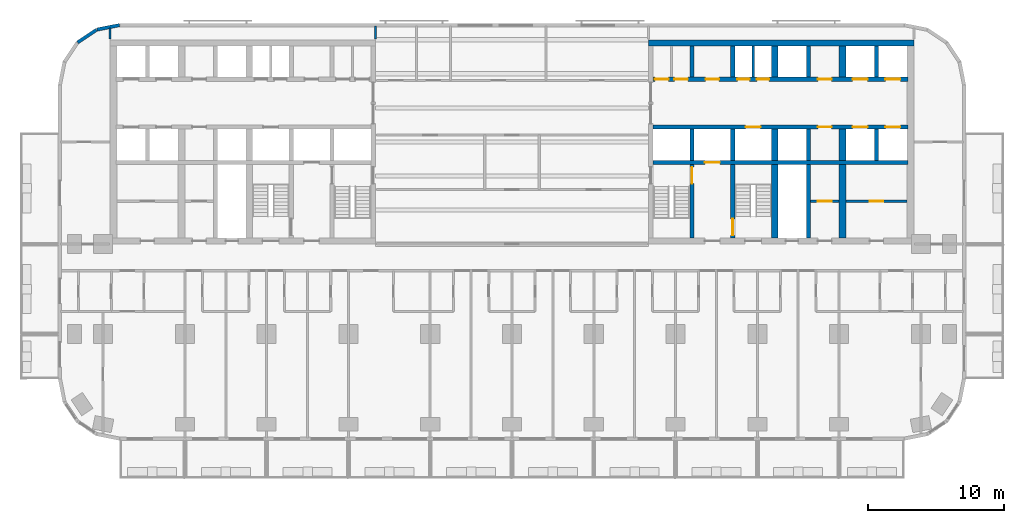
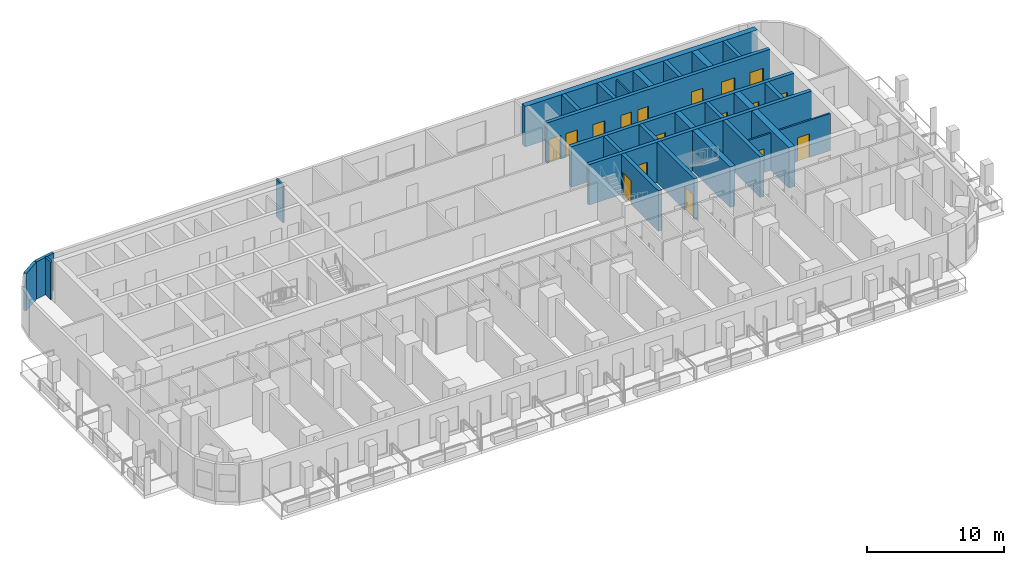
# One storey, part 8 of 15: 28 walls, 17 doors, 17 openings.
"""IFC4 building model written with IfcOpenShell, lengths in metres."""

from ifc_helpers import new_model, si_unit, direction, frame, frame_2d, origin, place, context, subcontext, project, spatial, rectangle, extrude, material, layer, layer_set, type_object, element, fill, save


model = new_model("IFC4")

# Units and contexts
model_context = context("Model", 3, precision=1e-05, world=origin(), true_north=direction((0.0, 1.0)))
body_context = subcontext(model_context, "Body", "Model", "MODEL_VIEW")
ifc_project = project(units=[si_unit("LENGTHUNIT", "METRE"), si_unit("AREAUNIT", "SQUARE_METRE"), si_unit("VOLUMEUNIT", "CUBIC_METRE"), si_unit("PLANEANGLEUNIT", "RADIAN"), si_unit("MASSUNIT", "GRAM", prefix="KILO")], contexts=[model_context])

# Site, building, storey
site_placement = place(None, origin())
site = spatial("IfcSite", under=ifc_project, at=site_placement, CompositionType="ELEMENT")
building_placement = place(site_placement, origin())
building = spatial("IfcBuilding", under=site, at=building_placement, Name="Torana Hotel and Residences", CompositionType="ELEMENT")
storey_placement = place(building_placement, frame((0.0, 0.0, 27.60009765625)))
storey = spatial("IfcBuildingStorey", under=building, at=storey_placement, Name="L05", CompositionType="ELEMENT", Elevation=27.60009765625)

# Wall, openings, doors
ifc_material_1 = material(Name="Concrete C80/95", Category="concrete")
ifc_layer_1 = layer(ifc_material_1, 0.300048828125)
ifc_layer_set_1 = layer_set([ifc_layer_1], Name="CORE WALL 300 C80/95")
wall_type_1 = type_object("IfcWallType", Name="CORE WALL 300 C80/95", PredefinedType="SHEAR", material=ifc_layer_set_1)
wall_1_placement = place(storey_placement, frame((10.35009765625, -2.89990234375, 0.0), z_axis=(0.0, 0.0, 1.0), x_axis=(1.0, 0.0, 0.0)))
wall_1 = element("IfcWall", 1, at=wall_1_placement, inside=storey, type_object=wall_type_1, Name="Core wall E row-N", PredefinedType="SHEAR", context=body_context, shape_type="SweptSolid", body=[
    extrude(rectangle(XDim=18.699951171875, YDim=0.300048828125, at=frame_2d((9.35009765625, 0.0))), origin(), (0.0, 0.0, 1.0), 3.599853515625),
])
opening_1_placement = place(wall_1_placement, frame((14.64990234375, 0.0, 0.0)))
opening_1 = element("IfcOpeningElement", 2, at=opening_1_placement, cuts=wall_1, Name="Opening LD", PredefinedType="OPENING", context=body_context, shape_type="SweptSolid", body=[
    extrude(rectangle(XDim=1.10009765625, YDim=2.10009765625, at=frame_2d((0.550048828125, 1.050048828125))), frame((0.0, 0.159912109375, 0.0), z_axis=(0.0, -1.0, 0.0), x_axis=(1.0, 0.0, 0.0)), (0.0, 0.0, 1.0), 0.320068359375),
])
opening_2_placement = place(wall_1_placement, frame((17.050048828125, 0.0, 0.0)))
opening_2 = element("IfcOpeningElement", 3, at=opening_2_placement, cuts=wall_1, Name="Opening LD", PredefinedType="OPENING", context=body_context, shape_type="SweptSolid", body=[
    extrude(rectangle(XDim=1.10009765625, YDim=2.10009765625, at=frame_2d((0.550048828125, 1.050048828125))), frame((0.0, 0.159912109375, 0.0), z_axis=(0.0, -1.0, 0.0), x_axis=(1.0, 0.0, 0.0)), (0.0, 0.0, 1.0), 0.320068359375),
])
opening_3_placement = place(wall_1_placement, frame((6.1875, 0.0, 0.0)))
opening_3 = element("IfcOpeningElement", 4, at=opening_3_placement, cuts=wall_1, Name="Opening L05-26", PredefinedType="OPENING", context=body_context, shape_type="SweptSolid", body=[
    extrude(rectangle(XDim=0.89990234375, YDim=2.10009765625, at=frame_2d((0.449951171875, 1.050048828125))), frame((0.0, 0.159912109375, 0.0), z_axis=(0.0, -1.0, 0.0), x_axis=(1.0, 0.0, 0.0)), (0.0, 0.0, 1.0), 0.320068359375),
])
opening_4_placement = place(wall_1_placement, frame((7.612548828125, 0.0, 0.0)))
opening_4 = element("IfcOpeningElement", 5, at=opening_4_placement, cuts=wall_1, Name="Opening L05-27", PredefinedType="OPENING", context=body_context, shape_type="SweptSolid", body=[
    extrude(rectangle(XDim=0.89990234375, YDim=2.10009765625, at=frame_2d((0.449951171875, 1.050048828125))), frame((0.0, 0.159912109375, 0.0), z_axis=(0.0, -1.0, 0.0), x_axis=(1.0, 0.0, 0.0)), (0.0, 0.0, 1.0), 0.320068359375),
])
opening_5_placement = place(wall_1_placement, frame((0.137451171875, 0.0, 0.0)))
opening_5 = element("IfcOpeningElement", 6, at=opening_5_placement, cuts=wall_1, Name="Opening L05-28", PredefinedType="OPENING", context=body_context, shape_type="SweptSolid", body=[
    extrude(rectangle(XDim=1.0, YDim=2.10009765625, at=frame_2d((0.5, 1.050048828125))), frame((0.0, 0.159912109375, 0.0), z_axis=(0.0, -1.0, 0.0), x_axis=(1.0, 0.0, 0.0)), (0.0, 0.0, 1.0), 0.320068359375),
])
opening_6_placement = place(wall_1_placement, frame((1.5625, 0.0, 0.0)))
opening_6 = element("IfcOpeningElement", 7, at=opening_6_placement, cuts=wall_1, Name="Opening L05-29", PredefinedType="OPENING", context=body_context, shape_type="SweptSolid", body=[
    extrude(rectangle(XDim=1.0, YDim=2.10009765625, at=frame_2d((0.5, 1.050048828125))), frame((0.0, 0.159912109375, 0.0), z_axis=(0.0, -1.0, 0.0), x_axis=(1.0, 0.0, 0.0)), (0.0, 0.0, 1.0), 0.320068359375),
])
opening_7_placement = place(wall_1_placement, frame((3.85009765625, 0.0, 0.0)))
opening_7 = element("IfcOpeningElement", 8, at=opening_7_placement, cuts=wall_1, Name="Opening L05-30", PredefinedType="OPENING", context=body_context, shape_type="SweptSolid", body=[
    extrude(rectangle(XDim=1.0, YDim=2.10009765625, at=frame_2d((0.5, 1.050048828125))), frame((0.0, 0.159912109375, 0.0), z_axis=(0.0, -1.0, 0.0), x_axis=(1.0, 0.0, 0.0)), (0.0, 0.0, 1.0), 0.320068359375),
])
opening_8_placement = place(wall_1_placement, frame((12.10009765625, 0.0, 0.0)))
opening_8 = element("IfcOpeningElement", 9, at=opening_8_placement, cuts=wall_1, Name="Opening L05-31", PredefinedType="OPENING", context=body_context, shape_type="SweptSolid", body=[
    extrude(rectangle(XDim=1.0, YDim=2.10009765625, at=frame_2d((0.5, 1.050048828125))), frame((0.0, 0.159912109375, 0.0), z_axis=(0.0, -1.0, 0.0), x_axis=(1.0, 0.0, 0.0)), (0.0, 0.0, 1.0), 0.320068359375),
])
ifc_material_2 = material(Name="Steel S235", Category="steel")
door_type_1 = type_object("IfcDoorType", Name="CORE ROOM FIRE DOOR D14 1000x2100", OperationType="SINGLE_SWING_LEFT", PredefinedType="DOOR", material=ifc_material_2)
door_1_placement = place(opening_5_placement, origin())
door_1 = element("IfcDoor", 10, at=door_1_placement, inside=storey, type_object=door_type_1, Name="N0A door L05", OperationType="SINGLE_SWING_RIGHT", OverallHeight=2.10009765625, OverallWidth=1.0, PredefinedType="DOOR", context=body_context, shape_type="SweptSolid", body=[
    extrude(rectangle(XDim=1.0, YDim=2.10009765625, at=frame_2d((0.5, 1.050048828125))), frame((0.0, 0.02490234375, 0.0), z_axis=(0.0, -1.0, 0.0), x_axis=(1.0, 0.0, 0.0)), (0.0, 0.0, 1.0), 0.050048828125),
])
fill(opening_5, door_1)
door_2_placement = place(opening_6_placement, origin())
door_2 = element("IfcDoor", 11, at=door_2_placement, inside=storey, type_object=door_type_1, Name="N0B door L05", OperationType="SINGLE_SWING_RIGHT", OverallHeight=2.10009765625, OverallWidth=1.0, PredefinedType="DOOR", context=body_context, shape_type="SweptSolid", body=[
    extrude(rectangle(XDim=1.0, YDim=2.10009765625, at=frame_2d((0.5, 1.050048828125))), frame((0.0, 0.02490234375, 0.0), z_axis=(0.0, -1.0, 0.0), x_axis=(1.0, 0.0, 0.0)), (0.0, 0.0, 1.0), 0.050048828125),
])
fill(opening_6, door_2)
door_3_placement = place(opening_7_placement, origin())
door_3 = element("IfcDoor", 12, at=door_3_placement, inside=storey, type_object=door_type_1, Name="N1 door L05", OperationType="SINGLE_SWING_RIGHT", OverallHeight=2.10009765625, OverallWidth=1.0, PredefinedType="DOOR", context=body_context, shape_type="SweptSolid", body=[
    extrude(rectangle(XDim=1.0, YDim=2.10009765625, at=frame_2d((0.5, 1.050048828125))), frame((0.0, 0.02490234375, 0.0), z_axis=(0.0, -1.0, 0.0), x_axis=(1.0, 0.0, 0.0)), (0.0, 0.0, 1.0), 0.050048828125),
])
fill(opening_7, door_3)
door_4_placement = place(opening_8_placement, origin())
door_4 = element("IfcDoor", 13, at=door_4_placement, inside=storey, type_object=door_type_1, Name="Free-M3 door L05", OperationType="SINGLE_SWING_RIGHT", OverallHeight=2.10009765625, OverallWidth=1.0, PredefinedType="DOOR", context=body_context, shape_type="SweptSolid", body=[
    extrude(rectangle(XDim=1.0, YDim=2.10009765625, at=frame_2d((0.5, 1.050048828125))), frame((0.0, 0.02490234375, 0.0), z_axis=(0.0, -1.0, 0.0), x_axis=(1.0, 0.0, 0.0)), (0.0, 0.0, 1.0), 0.050048828125),
])
fill(opening_8, door_4)
ifc_material_3 = material(Name="Stainless steel 316", Category="steel")
door_type_2 = type_object("IfcDoorType", Name="LIFT LANDING DOOR LD 1100x2100", OperationType="DOUBLE_DOOR_SLIDING", PredefinedType="USERDEFINED", material=ifc_material_3)
door_5_placement = place(opening_1_placement, origin())
door_5 = element("IfcDoor", 14, at=door_5_placement, inside=storey, type_object=door_type_2, Name="Lift landing door L5 L05", ObjectType="LIFT LANDING DOOR", OperationType="DOUBLE_DOOR_SLIDING", OverallHeight=2.10009765625, OverallWidth=1.10009765625, PredefinedType="USERDEFINED", context=body_context, shape_type="SweptSolid", body=[
    extrude(rectangle(XDim=1.10009765625, YDim=2.10009765625, at=frame_2d((0.550048828125, 1.050048828125))), frame((0.0, 0.02490234375, 0.0), z_axis=(0.0, -1.0, 0.0), x_axis=(1.0, 0.0, 0.0)), (0.0, 0.0, 1.0), 0.050048828125),
])
fill(opening_1, door_5)
door_6_placement = place(opening_2_placement, origin())
door_6 = element("IfcDoor", 15, at=door_6_placement, inside=storey, type_object=door_type_2, Name="Lift landing door L6 L05", ObjectType="LIFT LANDING DOOR", OperationType="DOUBLE_DOOR_SLIDING", OverallHeight=2.10009765625, OverallWidth=1.10009765625, PredefinedType="USERDEFINED", context=body_context, shape_type="SweptSolid", body=[
    extrude(rectangle(XDim=1.10009765625, YDim=2.10009765625, at=frame_2d((0.550048828125, 1.050048828125))), frame((0.0, 0.02490234375, 0.0), z_axis=(0.0, -1.0, 0.0), x_axis=(1.0, 0.0, 0.0)), (0.0, 0.0, 1.0), 0.050048828125),
])
fill(opening_2, door_6)
ifc_material_4 = material(Name="Steel S235", Category="steel")
door_type_3 = type_object("IfcDoorType", Name="RISER ACCESS DOOR D5 900x2100", OperationType="SINGLE_SWING_LEFT", PredefinedType="DOOR", material=ifc_material_4)
door_7_placement = place(opening_3_placement, origin())
door_7 = element("IfcDoor", 16, at=door_7_placement, inside=storey, type_object=door_type_3, Name="N2A door L05", OperationType="SINGLE_SWING_RIGHT", OverallHeight=2.10009765625, OverallWidth=0.89990234375, PredefinedType="DOOR", context=body_context, shape_type="SweptSolid", body=[
    extrude(rectangle(XDim=0.89990234375, YDim=2.10009765625, at=frame_2d((0.449951171875, 1.050048828125))), frame((0.0, 0.02490234375, 0.0), z_axis=(0.0, -1.0, 0.0), x_axis=(1.0, 0.0, 0.0)), (0.0, 0.0, 1.0), 0.050048828125),
])
fill(opening_3, door_7)
door_8_placement = place(opening_4_placement, origin())
door_8 = element("IfcDoor", 17, at=door_8_placement, inside=storey, type_object=door_type_3, Name="N2B door L05", OperationType="SINGLE_SWING_RIGHT", OverallHeight=2.10009765625, OverallWidth=0.89990234375, PredefinedType="DOOR", context=body_context, shape_type="SweptSolid", body=[
    extrude(rectangle(XDim=0.89990234375, YDim=2.10009765625, at=frame_2d((0.449951171875, 1.050048828125))), frame((0.0, 0.02490234375, 0.0), z_axis=(0.0, -1.0, 0.0), x_axis=(1.0, 0.0, 0.0)), (0.0, 0.0, 1.0), 0.050048828125),
])
fill(opening_4, door_8)

wall_2_placement = place(storey_placement, frame((10.35009765625, -6.39990234375, 0.0), z_axis=(0.0, 0.0, 1.0), x_axis=(1.0, 0.0, 0.0)))
wall_2 = element("IfcWall", 18, at=wall_2_placement, inside=storey, type_object=wall_type_1, Name="Core wall E row-S", PredefinedType="SHEAR", context=body_context, shape_type="SweptSolid", body=[
    extrude(rectangle(XDim=18.699951171875, YDim=0.300048828125, at=frame_2d((9.35009765625, 0.0))), origin(), (0.0, 0.0, 1.0), 3.599853515625),
])
opening_9_placement = place(wall_2_placement, frame((14.64990234375, 0.0, 0.0)))
opening_9 = element("IfcOpeningElement", 19, at=opening_9_placement, cuts=wall_2, Name="Opening LD", PredefinedType="OPENING", context=body_context, shape_type="SweptSolid", body=[
    extrude(rectangle(XDim=1.10009765625, YDim=2.10009765625, at=frame_2d((0.550048828125, 1.050048828125))), frame((0.0, 0.159912109375, 0.0), z_axis=(0.0, -1.0, 0.0), x_axis=(1.0, 0.0, 0.0)), (0.0, 0.0, 1.0), 0.320068359375),
])
opening_10_placement = place(wall_2_placement, frame((17.050048828125, 0.0, 0.0)))
opening_10 = element("IfcOpeningElement", 20, at=opening_10_placement, cuts=wall_2, Name="Opening LD", PredefinedType="OPENING", context=body_context, shape_type="SweptSolid", body=[
    extrude(rectangle(XDim=1.10009765625, YDim=2.10009765625, at=frame_2d((0.550048828125, 1.050048828125))), frame((0.0, 0.159912109375, 0.0), z_axis=(0.0, -1.0, 0.0), x_axis=(1.0, 0.0, 0.0)), (0.0, 0.0, 1.0), 0.320068359375),
])
opening_11_placement = place(wall_2_placement, frame((6.800048828125, 0.0, 0.0)))
opening_11 = element("IfcOpeningElement", 21, at=opening_11_placement, cuts=wall_2, Name="Opening LD", PredefinedType="OPENING", context=body_context, shape_type="SweptSolid", body=[
    extrude(rectangle(XDim=1.10009765625, YDim=2.10009765625, at=frame_2d((0.550048828125, 1.050048828125))), frame((0.0, 0.159912109375, 0.0), z_axis=(0.0, -1.0, 0.0), x_axis=(1.0, 0.0, 0.0)), (0.0, 0.0, 1.0), 0.320068359375),
])
opening_12_placement = place(wall_2_placement, frame((12.10009765625, 0.0, 0.0)))
opening_12 = element("IfcOpeningElement", 22, at=opening_12_placement, cuts=wall_2, Name="Opening L05-32", PredefinedType="OPENING", context=body_context, shape_type="SweptSolid", body=[
    extrude(rectangle(XDim=1.0, YDim=2.10009765625, at=frame_2d((0.5, 1.050048828125))), frame((0.0, 0.159912109375, 0.0), z_axis=(0.0, -1.0, 0.0), x_axis=(1.0, 0.0, 0.0)), (0.0, 0.0, 1.0), 0.320068359375),
])
door_9_placement = place(opening_12_placement, frame((0.5, 0.0, 0.0), z_axis=(0.0, 0.0, 1.0), x_axis=(-1.0, 0.0, 0.0)))
door_9 = element("IfcDoor", 23, at=door_9_placement, inside=storey, type_object=door_type_1, Name="Free-M4 door L05", OperationType="SINGLE_SWING_LEFT", OverallHeight=2.10009765625, OverallWidth=1.0, PredefinedType="DOOR", context=body_context, shape_type="SweptSolid", body=[
    extrude(rectangle(XDim=1.0, YDim=2.10009765625, at=frame_2d((0.0, 1.050048828125))), frame((0.0, -0.02490234375, 0.0), z_axis=(0.0, 1.0, 0.0), x_axis=(-1.0, 0.0, 0.0)), (0.0, 0.0, 1.0), 0.050048828125),
])
fill(opening_12, door_9)
door_10_placement = place(opening_9_placement, origin())
door_10 = element("IfcDoor", 24, at=door_10_placement, inside=storey, type_object=door_type_2, Name="Lift landing door L7 L05", ObjectType="LIFT LANDING DOOR", OperationType="DOUBLE_DOOR_SLIDING", OverallHeight=2.10009765625, OverallWidth=1.10009765625, PredefinedType="USERDEFINED", context=body_context, shape_type="SweptSolid", body=[
    extrude(rectangle(XDim=1.10009765625, YDim=2.10009765625, at=frame_2d((0.550048828125, 1.050048828125))), frame((0.0, 0.02490234375, 0.0), z_axis=(0.0, -1.0, 0.0), x_axis=(1.0, 0.0, 0.0)), (0.0, 0.0, 1.0), 0.050048828125),
])
fill(opening_9, door_10)
door_11_placement = place(opening_10_placement, origin())
door_11 = element("IfcDoor", 25, at=door_11_placement, inside=storey, type_object=door_type_2, Name="Lift landing door L8 L05", ObjectType="LIFT LANDING DOOR", OperationType="DOUBLE_DOOR_SLIDING", OverallHeight=2.10009765625, OverallWidth=1.10009765625, PredefinedType="USERDEFINED", context=body_context, shape_type="SweptSolid", body=[
    extrude(rectangle(XDim=1.10009765625, YDim=2.10009765625, at=frame_2d((0.550048828125, 1.050048828125))), frame((0.0, 0.02490234375, 0.0), z_axis=(0.0, -1.0, 0.0), x_axis=(1.0, 0.0, 0.0)), (0.0, 0.0, 1.0), 0.050048828125),
])
fill(opening_10, door_11)
door_12_placement = place(opening_11_placement, origin())
door_12 = element("IfcDoor", 26, at=door_12_placement, inside=storey, type_object=door_type_2, Name="Lift landing door SV2 L05", ObjectType="LIFT LANDING DOOR", OperationType="DOUBLE_DOOR_SLIDING", OverallHeight=2.10009765625, OverallWidth=1.10009765625, PredefinedType="USERDEFINED", context=body_context, shape_type="SweptSolid", body=[
    extrude(rectangle(XDim=1.10009765625, YDim=2.10009765625, at=frame_2d((0.550048828125, 1.050048828125))), frame((0.0, 0.02490234375, 0.0), z_axis=(0.0, -1.0, 0.0), x_axis=(1.0, 0.0, 0.0)), (0.0, 0.0, 1.0), 0.050048828125),
])
fill(opening_11, door_12)

# Wall, opening, door
wall_3_placement = place(storey_placement, frame((10.35009765625, -9.0, 0.0), z_axis=(0.0, 0.0, 1.0), x_axis=(1.0, 0.0, 0.0)))
wall_3 = element("IfcWall", 27, at=wall_3_placement, inside=storey, type_object=wall_type_1, Name="Core wall E band", PredefinedType="SHEAR", context=body_context, shape_type="SweptSolid", body=[
    extrude(rectangle(XDim=18.699951171875, YDim=0.300048828125, at=frame_2d((9.35009765625, 0.0))), origin(), (0.0, 0.0, 1.0), 3.599853515625),
])
opening_13_placement = place(wall_3_placement, frame((3.800048828125, 0.0, 0.0)))
opening_13 = element("IfcOpeningElement", 28, at=opening_13_placement, cuts=wall_3, Name="Opening LD", PredefinedType="OPENING", context=body_context, shape_type="SweptSolid", body=[
    extrude(rectangle(XDim=1.10009765625, YDim=2.10009765625, at=frame_2d((0.550048828125, 1.050048828125))), frame((0.0, 0.159912109375, 0.0), z_axis=(0.0, -1.0, 0.0), x_axis=(1.0, 0.0, 0.0)), (0.0, 0.0, 1.0), 0.320068359375),
])
door_13_placement = place(opening_13_placement, origin())
door_13 = element("IfcDoor", 29, at=door_13_placement, inside=storey, type_object=door_type_2, Name="Lift landing door FF2 L05", ObjectType="LIFT LANDING DOOR", OperationType="DOUBLE_DOOR_SLIDING", OverallHeight=2.10009765625, OverallWidth=1.10009765625, PredefinedType="USERDEFINED", context=body_context, shape_type="SweptSolid", body=[
    extrude(rectangle(XDim=1.10009765625, YDim=2.10009765625, at=frame_2d((0.550048828125, 1.050048828125))), frame((0.0, 0.02490234375, 0.0), z_axis=(0.0, -1.0, 0.0), x_axis=(1.0, 0.0, 0.0)), (0.0, 0.0, 1.0), 0.050048828125),
])
fill(opening_13, door_13)

# Walls
for number, where, z_axis, x_axis, name in (
    (30, (13.199951171875, -2.75, 0.0), (0.0, 0.0, 1.0), (0.0, 1.0, 0.0), "Core wall E x3.05-N"),
    (31, (13.199951171875, -8.85009765625, 0.0), (0.0, 0.0, 1.0), (0.0, 1.0, 0.0), "Core wall E x3.05-S"),
):
    element("IfcWall", number, at=place(storey_placement, frame(where, z_axis=z_axis, x_axis=x_axis)), inside=storey, type_object=wall_type_1, Name=name, PredefinedType="SHEAR", context=body_context, shape_type="SweptSolid", body=[
        extrude(rectangle(XDim=2.300048828125, YDim=0.300048828125, at=frame_2d((1.14990234375, 0.0))), origin(), (0.0, 0.0, 1.0), 3.599853515625),
    ])

# Wall, opening, door
wall_4_placement = place(storey_placement, frame((13.199951171875, -14.550048828125, 0.0), z_axis=(0.0, 0.0, 1.0), x_axis=(0.0, 1.0, 0.0)))
wall_4 = element("IfcWall", 32, at=wall_4_placement, inside=storey, type_object=wall_type_1, Name="Core wall E x3.05-band", PredefinedType="SHEAR", context=body_context, shape_type="SweptSolid", body=[
    extrude(rectangle(XDim=5.400146484375, YDim=0.300048828125, at=frame_2d((2.7001953125, 0.0))), origin(), (0.0, 0.0, 1.0), 3.599853515625),
])
opening_14_placement = place(wall_4_placement, frame((4.0, 0.0, 0.0)))
opening_14 = element("IfcOpeningElement", 33, at=opening_14_placement, cuts=wall_4, Name="Opening L05-33", PredefinedType="OPENING", context=body_context, shape_type="SweptSolid", body=[
    extrude(rectangle(XDim=1.199951171875, YDim=2.10009765625, at=frame_2d((0.60009765625, 1.050048828125))), frame((0.0, 0.159912109375, 0.0), z_axis=(0.0, -1.0, 0.0), x_axis=(1.0, 0.0, 0.0)), (0.0, 0.0, 1.0), 0.320068359375),
])
ifc_material_5 = material(Name="Steel S235", Category="steel")
door_type_4 = type_object("IfcDoorType", Name="STAIR FIRE DOOR D3 1200x2100", OperationType="SINGLE_SWING_LEFT", PredefinedType="DOOR", material=ifc_material_5)
door_14_placement = place(opening_14_placement, origin())
door_14 = element("IfcDoor", 34, at=door_14_placement, inside=storey, type_object=door_type_4, Name="Stair-A-lobby door L05", OperationType="SINGLE_SWING_LEFT", OverallHeight=2.10009765625, OverallWidth=1.199951171875, PredefinedType="DOOR", context=body_context, shape_type="SweptSolid", body=[
    extrude(rectangle(XDim=1.199951171875, YDim=2.10009765625, at=frame_2d((0.60009765625, 1.050048828125))), frame((0.0, 0.02490234375, 0.0), z_axis=(0.0, -1.0, 0.0), x_axis=(1.0, 0.0, 0.0)), (0.0, 0.0, 1.0), 0.050048828125),
])
fill(opening_14, door_14)

# Walls
for number, where, z_axis, x_axis, name in (
    (35, (16.199951171875, -2.75, 0.0), (0.0, 0.0, 1.0), (0.0, 1.0, 0.0), "Core wall E x6.05-N"),
    (36, (16.199951171875, -8.85009765625, 0.0), (0.0, 0.0, 1.0), (0.0, 1.0, 0.0), "Core wall E x6.05-S"),
):
    element("IfcWall", number, at=place(storey_placement, frame(where, z_axis=z_axis, x_axis=x_axis)), inside=storey, type_object=wall_type_1, Name=name, PredefinedType="SHEAR", context=body_context, shape_type="SweptSolid", body=[
        extrude(rectangle(XDim=2.300048828125, YDim=0.300048828125, at=frame_2d((1.14990234375, 0.0))), origin(), (0.0, 0.0, 1.0), 3.599853515625),
    ])

# Wall, opening, door
wall_5_placement = place(storey_placement, frame((16.199951171875, -14.550048828125, 0.0), z_axis=(0.0, 0.0, 1.0), x_axis=(0.0, 1.0, 0.0)))
wall_5 = element("IfcWall", 37, at=wall_5_placement, inside=storey, type_object=wall_type_1, Name="Core wall E x6.05-band", PredefinedType="SHEAR", context=body_context, shape_type="SweptSolid", body=[
    extrude(rectangle(XDim=5.400146484375, YDim=0.300048828125, at=frame_2d((2.7001953125, 0.0))), origin(), (0.0, 0.0, 1.0), 3.599853515625),
])
opening_15_placement = place(wall_5_placement, frame((0.199951171875, 0.0, 0.0)))
opening_15 = element("IfcOpeningElement", 38, at=opening_15_placement, cuts=wall_5, Name="Opening L05-34", PredefinedType="OPENING", context=body_context, shape_type="SweptSolid", body=[
    extrude(rectangle(XDim=1.199951171875, YDim=2.10009765625, at=frame_2d((0.60009765625, 1.050048828125))), frame((0.0, 0.159912109375, 0.0), z_axis=(0.0, -1.0, 0.0), x_axis=(1.0, 0.0, 0.0)), (0.0, 0.0, 1.0), 0.320068359375),
])
door_15_placement = place(opening_15_placement, frame((0.60009765625, 0.0, 0.0), z_axis=(0.0, 0.0, 1.0), x_axis=(-1.0, 0.0, 0.0)))
door_15 = element("IfcDoor", 39, at=door_15_placement, inside=storey, type_object=door_type_4, Name="Stair-B-lobby door L05", OperationType="SINGLE_SWING_LEFT", OverallHeight=2.10009765625, OverallWidth=1.199951171875, PredefinedType="DOOR", context=body_context, shape_type="SweptSolid", body=[
    extrude(rectangle(XDim=1.199951171875, YDim=2.10009765625, at=frame_2d((0.0, 1.050048828125))), frame((0.0, -0.02490234375, 0.0), z_axis=(0.0, 1.0, 0.0), x_axis=(-1.0, 0.0, 0.0)), (0.0, 0.0, 1.0), 0.050048828125),
])
fill(opening_15, door_15)

# Walls
for number, where, z_axis, x_axis, name in (
    (40, (21.75, -2.75, 0.0), (0.0, 0.0, 1.0), (0.0, 1.0, 0.0), "Core wall E mm-N"),
    (41, (21.75, -8.85009765625, 0.0), (0.0, 0.0, 1.0), (0.0, 1.0, 0.0), "Core wall E mm-S"),
):
    element("IfcWall", number, at=place(storey_placement, frame(where, z_axis=z_axis, x_axis=x_axis)), inside=storey, type_object=wall_type_1, Name=name, PredefinedType="SHEAR", context=body_context, shape_type="SweptSolid", body=[
        extrude(rectangle(XDim=2.300048828125, YDim=0.300048828125, at=frame_2d((1.14990234375, 0.0))), origin(), (0.0, 0.0, 1.0), 3.599853515625),
    ])
wall_6_placement = place(storey_placement, frame((21.75, -14.550048828125, 0.0), z_axis=(0.0, 0.0, 1.0), x_axis=(0.0, 1.0, 0.0)))
element("IfcWall", 42, at=wall_6_placement, inside=storey, type_object=wall_type_1, Name="Core wall E mm-band", PredefinedType="SHEAR", context=body_context, shape_type="SweptSolid", body=[
    extrude(rectangle(XDim=5.400146484375, YDim=0.300048828125, at=frame_2d((2.7001953125, 0.0))), origin(), (0.0, 0.0, 1.0), 3.599853515625),
])
for number, where, z_axis, x_axis, name in (
    (43, (26.75, -2.75, 0.0), (0.0, 0.0, 1.0), (0.0, 1.0, 0.0), "Core wall E ll-N"),
    (44, (26.75, -8.85009765625, 0.0), (0.0, 0.0, 1.0), (0.0, 1.0, 0.0), "Core wall E ll-S"),
):
    element("IfcWall", number, at=place(storey_placement, frame(where, z_axis=z_axis, x_axis=x_axis)), inside=storey, type_object=wall_type_1, Name=name, PredefinedType="SHEAR", context=body_context, shape_type="SweptSolid", body=[
        extrude(rectangle(XDim=2.300048828125, YDim=0.300048828125, at=frame_2d((1.14990234375, 0.0))), origin(), (0.0, 0.0, 1.0), 3.599853515625),
    ])
ifc_material_6 = material(Name="Concrete C80/95", Category="concrete")
ifc_layer_2 = layer(ifc_material_6, 0.449951171875)
ifc_layer_set_2 = layer_set([ifc_layer_2], Name="CORE WALL 450 C80/95")
wall_type_2 = type_object("IfcWallType", Name="CORE WALL 450 C80/95", PredefinedType="SHEAR", material=ifc_layer_set_2)
wall_7_placement = place(storey_placement, frame((10.0, -0.22509765625, 0.0), z_axis=(0.0, 0.0, 1.0), x_axis=(1.0, 0.0, 0.0)))
element("IfcWall", 45, at=wall_7_placement, inside=storey, type_object=wall_type_2, Name="Core wall E rear", PredefinedType="SHEAR", context=body_context, shape_type="SweptSolid", body=[
    extrude(rectangle(XDim=19.5, YDim=0.449951171875, at=frame_2d((9.75, 0.0))), origin(), (0.0, 0.0, 1.0), 3.599853515625),
])
for number, where, z_axis, x_axis, name in (
    (46, (19.27490234375, -2.75, 0.0), (0.0, 0.0, 1.0), (0.0, 1.0, 0.0), "Core wall E hm-N"),
    (47, (19.27490234375, -8.85009765625, 0.0), (0.0, 0.0, 1.0), (0.0, 1.0, 0.0), "Core wall E hm-S"),
):
    element("IfcWall", number, at=place(storey_placement, frame(where, z_axis=z_axis, x_axis=x_axis)), inside=storey, type_object=wall_type_2, Name=name, PredefinedType="SHEAR", context=body_context, shape_type="SweptSolid", body=[
        extrude(rectangle(XDim=2.300048828125, YDim=0.449951171875, at=frame_2d((1.14990234375, 0.0))), origin(), (0.0, 0.0, 1.0), 3.599853515625),
    ])
wall_8_placement = place(storey_placement, frame((19.27490234375, -14.550048828125, 0.0), z_axis=(0.0, 0.0, 1.0), x_axis=(0.0, 1.0, 0.0)))
element("IfcWall", 48, at=wall_8_placement, inside=storey, type_object=wall_type_2, Name="Core wall E hm-band", PredefinedType="SHEAR", context=body_context, shape_type="SweptSolid", body=[
    extrude(rectangle(XDim=5.400146484375, YDim=0.449951171875, at=frame_2d((2.7001953125, 0.0))), origin(), (0.0, 0.0, 1.0), 3.599853515625),
])
ifc_material_7 = material(Name="Concrete C80/95", Category="concrete")
ifc_layer_3 = layer(ifc_material_7, 0.5)
ifc_layer_set_3 = layer_set([ifc_layer_3], Name="CORE WALL 500 C80/95")
wall_type_3 = type_object("IfcWallType", Name="CORE WALL 500 C80/95", PredefinedType="SHEAR", material=ifc_layer_set_3)
for number, where, z_axis, x_axis, name in (
    (49, (24.25, -2.75, 0.0), (0.0, 0.0, 1.0), (0.0, 1.0, 0.0), "Core wall E ml-N"),
    (50, (24.25, -8.85009765625, 0.0), (0.0, 0.0, 1.0), (0.0, 1.0, 0.0), "Core wall E ml-S"),
):
    element("IfcWall", number, at=place(storey_placement, frame(where, z_axis=z_axis, x_axis=x_axis)), inside=storey, type_object=wall_type_3, Name=name, PredefinedType="SHEAR", context=body_context, shape_type="SweptSolid", body=[
        extrude(rectangle(XDim=2.300048828125, YDim=0.5, at=frame_2d((1.14990234375, 0.0))), origin(), (0.0, 0.0, 1.0), 3.599853515625),
    ])
wall_9_placement = place(storey_placement, frame((24.25, -14.550048828125, 0.0), z_axis=(0.0, 0.0, 1.0), x_axis=(0.0, 1.0, 0.0)))
element("IfcWall", 51, at=wall_9_placement, inside=storey, type_object=wall_type_3, Name="Core wall E ml-band", PredefinedType="SHEAR", context=body_context, shape_type="SweptSolid", body=[
    extrude(rectangle(XDim=5.400146484375, YDim=0.5, at=frame_2d((2.7001953125, 0.0))), origin(), (0.0, 0.0, 1.0), 3.599853515625),
])
ifc_material_8 = material(Name="Black aluminium composite panel", Category="aluminium")
ifc_layer_4 = layer(ifc_material_8, 0.00390625, Name="Cladding", Category="cladding")
ifc_material_9 = material(Name="Ventilated air cavity")
ifc_layer_5 = layer(ifc_material_9, 0.0400390625, Name="Ventilated cavity", Category="cavity")
ifc_material_10 = material(Name="Mineral wool insulation")
ifc_layer_6 = layer(ifc_material_10, 0.090087890625, Name="Insulation", Category="insulation")
ifc_material_11 = material(Name="Steel S280GD", Category="steel")
ifc_layer_7 = layer(ifc_material_11, 0.092041015625, Name="Steel stud frame", Category="structure")
ifc_material_12 = material(Name="Fire rated plasterboard")
ifc_layer_8 = layer(ifc_material_12, 0.011962890625, Name="Inner board", Category="finish")
ifc_layer_9 = layer(ifc_material_12, 0.011962890625, Name="Second board", Category="finish")
ifc_layer_set_4 = layer_set([ifc_layer_4, ifc_layer_5, ifc_layer_6, ifc_layer_7, ifc_layer_8, ifc_layer_9], Name="EW1 EXTERNAL WALL BLACK METAL CLAD 250")
wall_type_4 = type_object("IfcWallType", Name="EW1 EXTERNAL WALL BLACK METAL CLAD 250", PredefinedType="SOLIDWALL", material=ifc_layer_set_4)
wall_10_placement = place(storey_placement, frame((-28.7998046875, 1.072509765625, 0.0), z_axis=(0.0, 0.0, 1.0), x_axis=(-0.980803419081, -0.194999110559, 0.0)))
element("IfcWall", 52, at=wall_10_placement, inside=storey, type_object=wall_type_4, Name="External wall L05 e0.5", PredefinedType="SOLIDWALL", context=body_context, shape_type="SweptSolid", body=[
    extrude(rectangle(XDim=1.681396484375, YDim=0.25, at=frame_2d((0.8408203125, 0.0))), origin(), (0.0, 0.0, 1.0), 3.31982421875),
])
wall_11_placement = place(storey_placement, frame((-30.493896484375, 0.725830078125, 0.0), z_axis=(0.0, 0.0, 1.0), x_axis=(-0.831482937015, -0.55555029066, 0.0)))
element("IfcWall", 53, at=wall_11_placement, inside=storey, type_object=wall_type_4, Name="External wall L05 e0.6", PredefinedType="SOLIDWALL", context=body_context, shape_type="SweptSolid", body=[
    extrude(rectangle(XDim=1.65625, YDim=0.25, at=frame_2d((0.828125, 0.0))), origin(), (0.0, 0.0, 1.0), 3.31982421875),
])
ifc_material_13 = material(Name="Gypsum plaster")
ifc_layer_10 = layer(ifc_material_13, 0.014892578125, Name="Plaster", Category="finish")
ifc_material_14 = material(Name="Concrete blockwork", Category="masonry")
ifc_layer_11 = layer(ifc_material_14, 0.1201171875, Name="Blockwork", Category="structure")
ifc_layer_12 = layer(ifc_material_13, 0.014892578125, Name="Plaster", Category="finish")
ifc_layer_set_5 = layer_set([ifc_layer_10, ifc_layer_11, ifc_layer_12], Name="FIRE PARTITION 150 BLOCKWORK")
wall_type_5 = type_object("IfcWallType", Name="FIRE PARTITION 150 BLOCKWORK", PredefinedType="PARTITIONING", material=ifc_layer_set_5)
wall_12_placement = place(storey_placement, frame((17.699951171875, -2.75, 0.0), z_axis=(0.0, 0.0, 1.0), x_axis=(0.0, 1.0, 0.0)))
element("IfcWall", 54, at=wall_12_placement, inside=storey, type_object=wall_type_5, Name="Core partition L05", PredefinedType="PARTITIONING", context=body_context, shape_type="SweptSolid", body=[
    extrude(rectangle(XDim=2.300048828125, YDim=0.14990234375, at=frame_2d((1.14990234375, 0.0))), origin(), (0.0, 0.0, 1.0), 3.2998046875),
])

# Wall, opening, door
wall_13_placement = place(storey_placement, frame((21.89990234375, -11.85009765625, 0.0), z_axis=(0.0, 0.0, 1.0), x_axis=(1.0, 0.0, 0.0)))
wall_13 = element("IfcWall", 55, at=wall_13_placement, inside=storey, type_object=wall_type_5, Name="Core partition L05", PredefinedType="PARTITIONING", context=body_context, shape_type="SweptSolid", body=[
    extrude(rectangle(XDim=2.10009765625, YDim=0.14990234375, at=frame_2d((1.050048828125, 0.0))), origin(), (0.0, 0.0, 1.0), 3.2998046875),
])
opening_16_placement = place(wall_13_placement, frame((0.550048828125, 0.0, 0.0)))
opening_16 = element("IfcOpeningElement", 56, at=opening_16_placement, cuts=wall_13, Name="Opening L05-37", PredefinedType="OPENING", context=body_context, shape_type="SweptSolid", body=[
    extrude(rectangle(XDim=1.0, YDim=2.10009765625, at=frame_2d((0.5, 1.050048828125))), frame((0.0, 0.0849609375, 0.0), z_axis=(0.0, -1.0, 0.0), x_axis=(1.0, 0.0, 0.0)), (0.0, 0.0, 1.0), 0.169921875),
])
door_16_placement = place(opening_16_placement, origin())
door_16 = element("IfcDoor", 57, at=door_16_placement, inside=storey, type_object=door_type_1, Name="Plant room door L05", OperationType="SINGLE_SWING_RIGHT", OverallHeight=2.10009765625, OverallWidth=1.0, PredefinedType="DOOR", context=body_context, shape_type="SweptSolid", body=[
    extrude(rectangle(XDim=1.0, YDim=2.10009765625, at=frame_2d((0.5, 1.050048828125))), frame((0.0, 0.02490234375, 0.0), z_axis=(0.0, -1.0, 0.0), x_axis=(1.0, 0.0, 0.0)), (0.0, 0.0, 1.0), 0.050048828125),
])
fill(opening_16, door_16)

wall_14_placement = place(storey_placement, frame((24.5, -11.85009765625, 0.0), z_axis=(0.0, 0.0, 1.0), x_axis=(1.0, 0.0, 0.0)))
wall_14 = element("IfcWall", 58, at=wall_14_placement, inside=storey, type_object=wall_type_5, Name="Core partition L05", PredefinedType="PARTITIONING", context=body_context, shape_type="SweptSolid", body=[
    extrude(rectangle(XDim=4.5, YDim=0.14990234375, at=frame_2d((2.25, 0.0))), origin(), (0.0, 0.0, 1.0), 3.2998046875),
])
opening_17_placement = place(wall_14_placement, frame((1.75, 0.0, 0.0)))
opening_17 = element("IfcOpeningElement", 59, at=opening_17_placement, cuts=wall_14, Name="Opening L05-38", PredefinedType="OPENING", context=body_context, shape_type="SweptSolid", body=[
    extrude(rectangle(XDim=1.0, YDim=2.10009765625, at=frame_2d((0.5, 1.050048828125))), frame((0.0, 0.0849609375, 0.0), z_axis=(0.0, -1.0, 0.0), x_axis=(1.0, 0.0, 0.0)), (0.0, 0.0, 1.0), 0.169921875),
])
door_17_placement = place(opening_17_placement, origin())
door_17 = element("IfcDoor", 60, at=door_17_placement, inside=storey, type_object=door_type_1, Name="Plant room door L05", OperationType="SINGLE_SWING_RIGHT", OverallHeight=2.10009765625, OverallWidth=1.0, PredefinedType="DOOR", context=body_context, shape_type="SweptSolid", body=[
    extrude(rectangle(XDim=1.0, YDim=2.10009765625, at=frame_2d((0.5, 1.050048828125))), frame((0.0, 0.02490234375, 0.0), z_axis=(0.0, -1.0, 0.0), x_axis=(1.0, 0.0, 0.0)), (0.0, 0.0, 1.0), 0.050048828125),
])
fill(opening_17, door_17)

# Walls
ifc_material_15 = material(Name="Gypsum plasterboard")
ifc_layer_13 = layer(ifc_material_15, 0.012451171875, Name="Plasterboard", Category="finish")
ifc_layer_14 = layer(ifc_material_15, 0.012451171875, Name="Plasterboard", Category="finish")
ifc_layer_15 = layer(ifc_material_11, 0.10009765625, Name="Steel studs with mineral wool", Category="insulation")
ifc_layer_16 = layer(ifc_material_15, 0.012451171875, Name="Plasterboard", Category="finish")
ifc_layer_17 = layer(ifc_material_15, 0.012451171875, Name="Plasterboard", Category="finish")
ifc_layer_set_6 = layer_set([ifc_layer_13, ifc_layer_14, ifc_layer_15, ifc_layer_16, ifc_layer_17], Name="PARTITION 150 PLASTERBOARD")
wall_type_6 = type_object("IfcWallType", Name="PARTITION 150 PLASTERBOARD", PredefinedType="PARTITIONING", material=ifc_layer_set_6)
wall_15_placement = place(storey_placement, frame((-29.5, 0.050048828125, 0.0), z_axis=(0.0, 0.0, 1.0), x_axis=(0.0, 1.0, 0.0)))
element("IfcWall", 61, at=wall_15_placement, inside=storey, type_object=wall_type_6, Name="Partition L05", PredefinedType="PARTITIONING", context=body_context, shape_type="SweptSolid", body=[
    extrude(rectangle(XDim=0.8271484375, YDim=0.14990234375, at=frame_2d((0.41357421875, 0.0))), origin(), (0.0, 0.0, 1.0), 3.31982421875),
])
ifc_material_16 = material(Name="Ceramic tile on adhesive")
ifc_layer_18 = layer(ifc_material_16, 0.010009765625, Name="Wall tile", Category="finish")
ifc_material_17 = material(Name="Cement render")
ifc_layer_19 = layer(ifc_material_17, 0.010009765625, Name="Render", Category="finish")
ifc_layer_20 = layer(ifc_material_14, 0.110107421875, Name="Blockwork", Category="structure")
ifc_layer_21 = layer(ifc_material_17, 0.010009765625, Name="Render", Category="finish")
ifc_layer_22 = layer(ifc_material_16, 0.010009765625, Name="Wall tile", Category="finish")
ifc_layer_set_7 = layer_set([ifc_layer_18, ifc_layer_19, ifc_layer_20, ifc_layer_21, ifc_layer_22], Name="WC PARTITION 150")
wall_type_7 = type_object("IfcWallType", Name="WC PARTITION 150", PredefinedType="PLUMBINGWALL", material=ifc_layer_set_7)
wall_16_placement = place(storey_placement, frame((-10.0, 0.050048828125, 0.0), z_axis=(0.0, 0.0, 1.0), x_axis=(0.0, 1.0, 0.0)))
element("IfcWall", 62, at=wall_16_placement, inside=storey, type_object=wall_type_7, Name="Partition L05", PredefinedType="PLUMBINGWALL", context=body_context, shape_type="SweptSolid", body=[
    extrude(rectangle(XDim=0.969970703125, YDim=0.14990234375, at=frame_2d((0.48486328125, 0.0))), origin(), (0.0, 0.0, 1.0), 3.31982421875),
])

save(model, "model.ifc")
